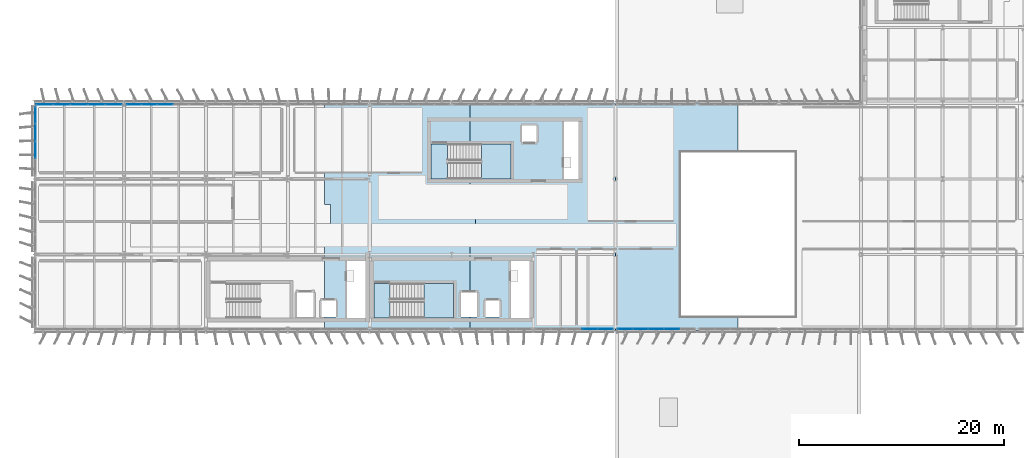
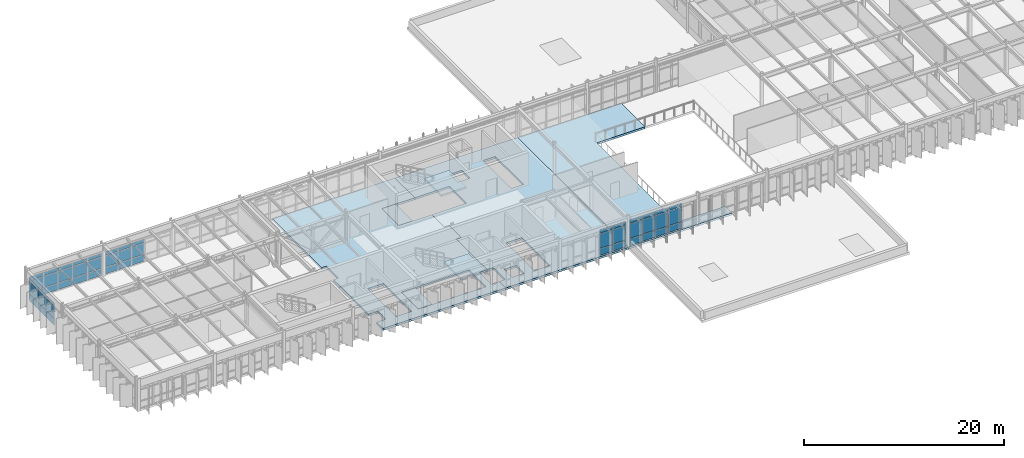
# One storey, part 29 of 56: 51 plates, 7 slabs, 7 elements without a shape of their own.
"""IFC4 building model written with IfcOpenShell, lengths in metres."""

from ifc_helpers import new_model, si_unit, direction, frame, origin, origin_2d, place, context, subcontext, project, spatial, polyline, rectangle, outline, extrude, material, layer, layer_set, type_object, element, aggregate, save


model = new_model("IFC4")

# Units and contexts
model_context = context("Model", 3, precision=1e-05, world=origin(), true_north=direction((0.0, 1.0)))
body_context = subcontext(model_context, "Body", "Model", "MODEL_VIEW")
ifc_project = project(units=[si_unit("LENGTHUNIT", "METRE"), si_unit("AREAUNIT", "SQUARE_METRE"), si_unit("VOLUMEUNIT", "CUBIC_METRE"), si_unit("PLANEANGLEUNIT", "RADIAN"), si_unit("MASSUNIT", "GRAM", prefix="KILO")], contexts=[model_context])

# Site, building, storey
site_placement = place(None, origin())
site = spatial("IfcSite", under=ifc_project, at=site_placement, CompositionType="ELEMENT")
building_placement = place(site_placement, origin())
building = spatial("IfcBuilding", under=site, at=building_placement, Name="Valkorina Park Police Headquarters", CompositionType="ELEMENT")
storey_placement = place(building_placement, frame((0.0, 0.0, 14.10009765625)))
storey = spatial("IfcBuildingStorey", under=building, at=storey_placement, Name="L04", CompositionType="ELEMENT", Elevation=14.10009765625)

# Curtain wall, plates
ifc_material_1 = material(Name="Thermally broken aluminium AW-6060", Category="aluminium")
ifc_layer_1 = layer(ifc_material_1, 0.18994140625)
ifc_layer_set_1 = layer_set([ifc_layer_1], Name="Thermally broken aluminium AW-6060")
curtain_wall_type_1 = type_object("IfcCurtainWallType", Name="CW-V5-8480x2840", PredefinedType="NOTDEFINED", material=ifc_layer_set_1)
curtain_wall_1_placement = place(storey_placement, origin())
curtain_wall_1 = element("IfcCurtainWall", 1, at=curtain_wall_1_placement, inside=storey, type_object=curtain_wall_type_1, Name="L04 Unitised Curtain Wall 030", PredefinedType="NOTDEFINED")
ifc_layer_2 = layer(ifc_material_1, 0.050048828125)
ifc_layer_set_2 = layer_set([ifc_layer_2], Name="Thermally broken aluminium AW-6060")
plate_type_1 = type_object("IfcPlateType", Name="PL-CWP-SPANDREL-50", PredefinedType="CURTAIN_PANEL", material=ifc_layer_set_2)
plate_1_placement = place(storey_placement, frame((1.025390625, 59.080078125, 0.06982421875), z_axis=(0.0, 0.0, 1.0), x_axis=(1.0, 0.0, 0.0)))
plate_1 = element("IfcPlate", 2, at=plate_1_placement, type_object=plate_type_1, Name="CW-V5-848-284 panel 1.1", PredefinedType="CURTAIN_PANEL", context=body_context, shape_type="SweptSolid", body=[
    extrude(rectangle(XDim=1.591064453125, YDim=0.028076171875, at=origin_2d()), origin(), (0.0, 0.0, 1.0), 0.794921875),
])
plate_2_placement = place(storey_placement, frame((2.7041015625, 59.080078125, 0.06982421875), z_axis=(0.0, 0.0, 1.0), x_axis=(1.0, 0.0, 0.0)))
plate_2 = element("IfcPlate", 3, at=plate_2_placement, type_object=plate_type_1, Name="CW-V5-848-284 panel 2.1", PredefinedType="CURTAIN_PANEL", context=body_context, shape_type="SweptSolid", body=[
    extrude(rectangle(XDim=1.6259765625, YDim=0.028076171875, at=origin_2d()), origin(), (0.0, 0.0, 1.0), 0.794921875),
])
plate_3_placement = place(storey_placement, frame((4.39990234375, 59.080078125, 0.06982421875), z_axis=(0.0, 0.0, 1.0), x_axis=(1.0, 0.0, 0.0)))
plate_3 = element("IfcPlate", 4, at=plate_3_placement, type_object=plate_type_1, Name="CW-V5-848-284 panel 3.1", PredefinedType="CURTAIN_PANEL", context=body_context, shape_type="SweptSolid", body=[
    extrude(rectangle(XDim=1.6259765625, YDim=0.028076171875, at=origin_2d()), origin(), (0.0, 0.0, 1.0), 0.794921875),
])
plate_4_placement = place(storey_placement, frame((6.095947265625, 59.080078125, 0.06982421875), z_axis=(0.0, 0.0, 1.0), x_axis=(1.0, 0.0, 0.0)))
plate_4 = element("IfcPlate", 5, at=plate_4_placement, type_object=plate_type_1, Name="CW-V5-848-284 panel 4.1", PredefinedType="CURTAIN_PANEL", context=body_context, shape_type="SweptSolid", body=[
    extrude(rectangle(XDim=1.6259765625, YDim=0.028076171875, at=origin_2d()), origin(), (0.0, 0.0, 1.0), 0.794921875),
])
plate_5_placement = place(storey_placement, frame((7.7744140625, 59.080078125, 0.06982421875), z_axis=(0.0, 0.0, 1.0), x_axis=(1.0, 0.0, 0.0)))
plate_5 = element("IfcPlate", 6, at=plate_5_placement, type_object=plate_type_1, Name="CW-V5-848-284 panel 5.1", PredefinedType="CURTAIN_PANEL", context=body_context, shape_type="SweptSolid", body=[
    extrude(rectangle(XDim=1.591064453125, YDim=0.028076171875, at=origin_2d()), origin(), (0.0, 0.0, 1.0), 0.794921875),
])

ifc_layer_3 = layer(ifc_material_1, 0.18994140625)
ifc_layer_set_3 = layer_set([ifc_layer_3], Name="Thermally broken aluminium AW-6060")
curtain_wall_type_2 = type_object("IfcCurtainWallType", Name="CW-V5-7680x2840", PredefinedType="NOTDEFINED", material=ifc_layer_set_3)
curtain_wall_2_placement = place(storey_placement, origin())
curtain_wall_2 = element("IfcCurtainWall", 7, at=curtain_wall_2_placement, inside=storey, type_object=curtain_wall_type_2, Name="L04 Unitised Curtain Wall 031", PredefinedType="NOTDEFINED")
plate_6_placement = place(storey_placement, frame((9.74560546875, 59.080078125, 0.06982421875), z_axis=(0.0, 0.0, 1.0), x_axis=(1.0, 0.0, 0.0)))
plate_6 = element("IfcPlate", 8, at=plate_6_placement, type_object=plate_type_1, Name="CW-V5-768-284 panel 1.1", PredefinedType="CURTAIN_PANEL", context=body_context, shape_type="SweptSolid", body=[
    extrude(rectangle(XDim=1.430908203125, YDim=0.028076171875, at=origin_2d()), origin(), (0.0, 0.0, 1.0), 0.794921875),
])
plate_7_placement = place(storey_placement, frame((11.263916015625, 59.080078125, 0.06982421875), z_axis=(0.0, 0.0, 1.0), x_axis=(1.0, 0.0, 0.0)))
plate_7 = element("IfcPlate", 9, at=plate_7_placement, type_object=plate_type_1, Name="CW-V5-768-284 panel 2.1", PredefinedType="CURTAIN_PANEL", context=body_context, shape_type="SweptSolid", body=[
    extrude(rectangle(XDim=1.466064453125, YDim=0.028076171875, at=origin_2d()), origin(), (0.0, 0.0, 1.0), 0.794921875),
])
plate_8_placement = place(storey_placement, frame((12.800048828125, 59.080078125, 0.06982421875), z_axis=(0.0, 0.0, 1.0), x_axis=(1.0, 0.0, 0.0)))
plate_8 = element("IfcPlate", 10, at=plate_8_placement, type_object=plate_type_1, Name="CW-V5-768-284 panel 3.1", PredefinedType="CURTAIN_PANEL", context=body_context, shape_type="SweptSolid", body=[
    extrude(rectangle(XDim=1.466064453125, YDim=0.028076171875, at=origin_2d()), origin(), (0.0, 0.0, 1.0), 0.794921875),
])

ifc_layer_4 = layer(ifc_material_1, 0.18994140625)
ifc_layer_set_4 = layer_set([ifc_layer_4], Name="Thermally broken aluminium AW-6060")
curtain_wall_type_3 = type_object("IfcCurtainWallType", Name="CW-V5-7620x3260", PredefinedType="NOTDEFINED", material=ifc_layer_set_4)
curtain_wall_3_placement = place(storey_placement, origin())
curtain_wall_3 = element("IfcCurtainWall", 11, at=curtain_wall_3_placement, inside=storey, type_object=curtain_wall_type_3, Name="L04 Unitised Curtain Wall 050", PredefinedType="NOTDEFINED")
plate_9_placement = place(storey_placement, frame((62.324951171875, 37.1201171875, 0.06982421875), z_axis=(0.0, 0.0, 1.0), x_axis=(-1.0, 0.0, 0.0)))
plate_9 = element("IfcPlate", 12, at=plate_9_placement, type_object=plate_type_1, Name="CW-V5-762-326 panel 2.1", PredefinedType="CURTAIN_PANEL", context=body_context, shape_type="SweptSolid", body=[
    extrude(rectangle(XDim=1.454833984375, YDim=0.028076171875, at=origin_2d()), origin(), (0.0, 0.0, 1.0), 0.794921875),
])
plate_10_placement = place(storey_placement, frame((60.800048828125, 37.1201171875, 0.06982421875), z_axis=(0.0, 0.0, 1.0), x_axis=(-1.0, 0.0, 0.0)))
plate_10 = element("IfcPlate", 13, at=plate_10_placement, type_object=plate_type_1, Name="CW-V5-762-326 panel 3.1", PredefinedType="CURTAIN_PANEL", context=body_context, shape_type="SweptSolid", body=[
    extrude(rectangle(XDim=1.454833984375, YDim=0.028076171875, at=origin_2d()), origin(), (0.0, 0.0, 1.0), 0.794921875),
])
plate_11_placement = place(storey_placement, frame((59.275146484375, 37.1201171875, 0.06982421875), z_axis=(0.0, 0.0, 1.0), x_axis=(-1.0, 0.0, 0.0)))
plate_11 = element("IfcPlate", 14, at=plate_11_placement, type_object=plate_type_1, Name="CW-V5-762-326 panel 4.1", PredefinedType="CURTAIN_PANEL", context=body_context, shape_type="SweptSolid", body=[
    extrude(rectangle(XDim=1.454833984375, YDim=0.028076171875, at=origin_2d()), origin(), (0.0, 0.0, 1.0), 0.794921875),
])
plate_12_placement = place(storey_placement, frame((57.767822265625, 37.1201171875, 0.06982421875), z_axis=(0.0, 0.0, 1.0), x_axis=(-1.0, 0.0, 0.0)))
plate_12 = element("IfcPlate", 15, at=plate_12_placement, type_object=plate_type_1, Name="CW-V5-762-326 panel 5.1", PredefinedType="CURTAIN_PANEL", context=body_context, shape_type="SweptSolid", body=[
    extrude(rectangle(XDim=1.419921875, YDim=0.028076171875, at=origin_2d()), origin(), (0.0, 0.0, 1.0), 0.794921875),
])

ifc_layer_5 = layer(ifc_material_1, 0.18994140625)
ifc_layer_set_5 = layer_set([ifc_layer_5], Name="Thermally broken aluminium AW-6060")
curtain_wall_type_4 = type_object("IfcCurtainWallType", Name="CW-V5-7650x3260", PredefinedType="NOTDEFINED", material=ifc_layer_set_5)
curtain_wall_4_placement = place(storey_placement, origin())
curtain_wall_4 = element("IfcCurtainWall", 16, at=curtain_wall_4_placement, inside=storey, type_object=curtain_wall_type_4, Name="L04 Unitised Curtain Wall 051", PredefinedType="NOTDEFINED")
plate_13_placement = place(storey_placement, frame((55.82958984375, 37.1201171875, 0.06982421875), z_axis=(0.0, 0.0, 1.0), x_axis=(-1.0, 0.0, 0.0)))
plate_13 = element("IfcPlate", 17, at=plate_13_placement, type_object=plate_type_1, Name="CW-V5-765-326 panel 1.1", PredefinedType="CURTAIN_PANEL", context=body_context, shape_type="SweptSolid", body=[
    extrude(rectangle(XDim=1.425537109375, YDim=0.028076171875, at=origin_2d()), origin(), (0.0, 0.0, 1.0), 0.794921875),
])
plate_14_placement = place(storey_placement, frame((54.316650390625, 37.1201171875, 0.06982421875), z_axis=(0.0, 0.0, 1.0), x_axis=(-1.0, 0.0, 0.0)))
plate_14 = element("IfcPlate", 18, at=plate_14_placement, type_object=plate_type_1, Name="CW-V5-765-326 panel 2.1", PredefinedType="CURTAIN_PANEL", context=body_context, shape_type="SweptSolid", body=[
    extrude(rectangle(XDim=1.46044921875, YDim=0.028076171875, at=origin_2d()), origin(), (0.0, 0.0, 1.0), 0.794921875),
])

ifc_layer_6 = layer(ifc_material_1, 0.18994140625)
ifc_layer_set_6 = layer_set([ifc_layer_6], Name="Thermally broken aluminium AW-6060")
curtain_wall_type_5 = type_object("IfcCurtainWallType", Name="CW-V5-6780x2840", PredefinedType="NOTDEFINED", material=ifc_layer_set_6)
curtain_wall_5_placement = place(storey_placement, origin())
curtain_wall_5 = element("IfcCurtainWall", 19, at=curtain_wall_5_placement, inside=storey, type_object=curtain_wall_type_5, Name="L04 Unitised Curtain Wall 060", PredefinedType="NOTDEFINED")
plate_15_placement = place(storey_placement, frame((0.1201171875, 54.652587890625, 0.06982421875), z_axis=(0.0, 0.0, 1.0), x_axis=(0.0, 1.0, 0.0)))
plate_15 = element("IfcPlate", 20, at=plate_15_placement, type_object=plate_type_1, Name="CW-V5-678-284 panel 2.1", PredefinedType="CURTAIN_PANEL", context=body_context, shape_type="SweptSolid", body=[
    extrude(rectangle(XDim=1.625, YDim=0.028076171875, at=origin_2d()), origin(), (0.0, 0.0, 1.0), 0.794921875),
])
plate_16_placement = place(storey_placement, frame((0.1201171875, 56.347412109375, 0.06982421875), z_axis=(0.0, 0.0, 1.0), x_axis=(0.0, 1.0, 0.0)))
plate_16 = element("IfcPlate", 21, at=plate_16_placement, type_object=plate_type_1, Name="CW-V5-678-284 panel 3.1", PredefinedType="CURTAIN_PANEL", context=body_context, shape_type="SweptSolid", body=[
    extrude(rectangle(XDim=1.625, YDim=0.028076171875, at=origin_2d()), origin(), (0.0, 0.0, 1.0), 0.794921875),
])
plate_17_placement = place(storey_placement, frame((0.1201171875, 58.02490234375, 0.06982421875), z_axis=(0.0, 0.0, 1.0), x_axis=(0.0, 1.0, 0.0)))
plate_17 = element("IfcPlate", 22, at=plate_17_placement, type_object=plate_type_1, Name="CW-V5-678-284 panel 4.1", PredefinedType="CURTAIN_PANEL", context=body_context, shape_type="SweptSolid", body=[
    extrude(rectangle(XDim=1.590087890625, YDim=0.028076171875, at=origin_2d()), origin(), (0.0, 0.0, 1.0), 0.794921875),
])

# Plate
ifc_material_2 = material(Name="Triple low-E insulated glazing", Category="glass")
ifc_layer_7 = layer(ifc_material_2, 0.028076171875)
ifc_layer_set_7 = layer_set([ifc_layer_7], Name="Triple low-E insulated glazing")
plate_type_2 = type_object("IfcPlateType", Name="PL-CWP-VISION-28", PredefinedType="CURTAIN_PANEL", material=ifc_layer_set_7)
plate_18_placement = place(storey_placement, frame((1.025390625, 59.080078125, 0.934814453125), z_axis=(0.0, 0.0, 1.0), x_axis=(1.0, 0.0, 0.0)))
plate_18 = element("IfcPlate", 23, at=plate_18_placement, type_object=plate_type_2, Name="CW-V5-848-284 panel 1.2", PredefinedType="CURTAIN_PANEL", context=body_context, shape_type="SweptSolid", body=[
    extrude(rectangle(XDim=1.591064453125, YDim=0.028076171875, at=origin_2d()), origin(), (0.0, 0.0, 1.0), 1.35498046875),
])

plate_19_placement = place(storey_placement, frame((1.025390625, 59.080078125, 2.35986328125), z_axis=(0.0, 0.0, 1.0), x_axis=(1.0, 0.0, 0.0)))
plate_19 = element("IfcPlate", 24, at=plate_19_placement, type_object=plate_type_2, Name="CW-V5-848-284 panel 1.3", PredefinedType="CURTAIN_PANEL", context=body_context, shape_type="SweptSolid", body=[
    extrude(rectangle(XDim=1.591064453125, YDim=0.028076171875, at=origin_2d()), origin(), (0.0, 0.0, 1.0), 0.4150390625),
])

plate_20_placement = place(storey_placement, frame((2.7041015625, 59.080078125, 0.934814453125), z_axis=(0.0, 0.0, 1.0), x_axis=(1.0, 0.0, 0.0)))
plate_20 = element("IfcPlate", 25, at=plate_20_placement, type_object=plate_type_2, Name="CW-V5-848-284 panel 2.2", PredefinedType="CURTAIN_PANEL", context=body_context, shape_type="SweptSolid", body=[
    extrude(rectangle(XDim=1.6259765625, YDim=0.028076171875, at=origin_2d()), origin(), (0.0, 0.0, 1.0), 1.35498046875),
])

plate_21_placement = place(storey_placement, frame((2.7041015625, 59.080078125, 2.35986328125), z_axis=(0.0, 0.0, 1.0), x_axis=(1.0, 0.0, 0.0)))
plate_21 = element("IfcPlate", 26, at=plate_21_placement, type_object=plate_type_2, Name="CW-V5-848-284 panel 2.3", PredefinedType="CURTAIN_PANEL", context=body_context, shape_type="SweptSolid", body=[
    extrude(rectangle(XDim=1.6259765625, YDim=0.028076171875, at=origin_2d()), origin(), (0.0, 0.0, 1.0), 0.4150390625),
])

plate_22_placement = place(storey_placement, frame((4.39990234375, 59.080078125, 0.934814453125), z_axis=(0.0, 0.0, 1.0), x_axis=(1.0, 0.0, 0.0)))
plate_22 = element("IfcPlate", 27, at=plate_22_placement, type_object=plate_type_2, Name="CW-V5-848-284 panel 3.2", PredefinedType="CURTAIN_PANEL", context=body_context, shape_type="SweptSolid", body=[
    extrude(rectangle(XDim=1.6259765625, YDim=0.028076171875, at=origin_2d()), origin(), (0.0, 0.0, 1.0), 1.35498046875),
])

plate_23_placement = place(storey_placement, frame((4.39990234375, 59.080078125, 2.35986328125), z_axis=(0.0, 0.0, 1.0), x_axis=(1.0, 0.0, 0.0)))
plate_23 = element("IfcPlate", 28, at=plate_23_placement, type_object=plate_type_2, Name="CW-V5-848-284 panel 3.3", PredefinedType="CURTAIN_PANEL", context=body_context, shape_type="SweptSolid", body=[
    extrude(rectangle(XDim=1.6259765625, YDim=0.028076171875, at=origin_2d()), origin(), (0.0, 0.0, 1.0), 0.4150390625),
])

plate_24_placement = place(storey_placement, frame((6.095947265625, 59.080078125, 0.934814453125), z_axis=(0.0, 0.0, 1.0), x_axis=(1.0, 0.0, 0.0)))
plate_24 = element("IfcPlate", 29, at=plate_24_placement, type_object=plate_type_2, Name="CW-V5-848-284 panel 4.2", PredefinedType="CURTAIN_PANEL", context=body_context, shape_type="SweptSolid", body=[
    extrude(rectangle(XDim=1.6259765625, YDim=0.028076171875, at=origin_2d()), origin(), (0.0, 0.0, 1.0), 1.35498046875),
])

plate_25_placement = place(storey_placement, frame((6.095947265625, 59.080078125, 2.35986328125), z_axis=(0.0, 0.0, 1.0), x_axis=(1.0, 0.0, 0.0)))
plate_25 = element("IfcPlate", 30, at=plate_25_placement, type_object=plate_type_2, Name="CW-V5-848-284 panel 4.3", PredefinedType="CURTAIN_PANEL", context=body_context, shape_type="SweptSolid", body=[
    extrude(rectangle(XDim=1.6259765625, YDim=0.028076171875, at=origin_2d()), origin(), (0.0, 0.0, 1.0), 0.4150390625),
])

plate_26_placement = place(storey_placement, frame((7.7744140625, 59.080078125, 0.934814453125), z_axis=(0.0, 0.0, 1.0), x_axis=(1.0, 0.0, 0.0)))
plate_26 = element("IfcPlate", 31, at=plate_26_placement, type_object=plate_type_2, Name="CW-V5-848-284 panel 5.2", PredefinedType="CURTAIN_PANEL", context=body_context, shape_type="SweptSolid", body=[
    extrude(rectangle(XDim=1.591064453125, YDim=0.028076171875, at=origin_2d()), origin(), (0.0, 0.0, 1.0), 1.35498046875),
])

plate_27_placement = place(storey_placement, frame((7.7744140625, 59.080078125, 2.35986328125), z_axis=(0.0, 0.0, 1.0), x_axis=(1.0, 0.0, 0.0)))
plate_27 = element("IfcPlate", 32, at=plate_27_placement, type_object=plate_type_2, Name="CW-V5-848-284 panel 5.3", PredefinedType="CURTAIN_PANEL", context=body_context, shape_type="SweptSolid", body=[
    extrude(rectangle(XDim=1.591064453125, YDim=0.028076171875, at=origin_2d()), origin(), (0.0, 0.0, 1.0), 0.4150390625),
])

aggregate(curtain_wall_1, [plate_1, plate_18, plate_19, plate_2, plate_20, plate_21, plate_3, plate_22, plate_23, plate_4, plate_24, plate_25, plate_5, plate_26, plate_27])

plate_28_placement = place(storey_placement, frame((9.74560546875, 59.080078125, 0.934814453125), z_axis=(0.0, 0.0, 1.0), x_axis=(1.0, 0.0, 0.0)))
plate_28 = element("IfcPlate", 33, at=plate_28_placement, type_object=plate_type_2, Name="CW-V5-768-284 panel 1.2", PredefinedType="CURTAIN_PANEL", context=body_context, shape_type="SweptSolid", body=[
    extrude(rectangle(XDim=1.430908203125, YDim=0.028076171875, at=origin_2d()), origin(), (0.0, 0.0, 1.0), 1.35498046875),
])

plate_29_placement = place(storey_placement, frame((9.74560546875, 59.080078125, 2.35986328125), z_axis=(0.0, 0.0, 1.0), x_axis=(1.0, 0.0, 0.0)))
plate_29 = element("IfcPlate", 34, at=plate_29_placement, type_object=plate_type_2, Name="CW-V5-768-284 panel 1.3", PredefinedType="CURTAIN_PANEL", context=body_context, shape_type="SweptSolid", body=[
    extrude(rectangle(XDim=1.430908203125, YDim=0.028076171875, at=origin_2d()), origin(), (0.0, 0.0, 1.0), 0.4150390625),
])

plate_30_placement = place(storey_placement, frame((11.263916015625, 59.080078125, 0.934814453125), z_axis=(0.0, 0.0, 1.0), x_axis=(1.0, 0.0, 0.0)))
plate_30 = element("IfcPlate", 35, at=plate_30_placement, type_object=plate_type_2, Name="CW-V5-768-284 panel 2.2", PredefinedType="CURTAIN_PANEL", context=body_context, shape_type="SweptSolid", body=[
    extrude(rectangle(XDim=1.466064453125, YDim=0.028076171875, at=origin_2d()), origin(), (0.0, 0.0, 1.0), 1.35498046875),
])

plate_31_placement = place(storey_placement, frame((11.263916015625, 59.080078125, 2.35986328125), z_axis=(0.0, 0.0, 1.0), x_axis=(1.0, 0.0, 0.0)))
plate_31 = element("IfcPlate", 36, at=plate_31_placement, type_object=plate_type_2, Name="CW-V5-768-284 panel 2.3", PredefinedType="CURTAIN_PANEL", context=body_context, shape_type="SweptSolid", body=[
    extrude(rectangle(XDim=1.466064453125, YDim=0.028076171875, at=origin_2d()), origin(), (0.0, 0.0, 1.0), 0.4150390625),
])

plate_32_placement = place(storey_placement, frame((12.800048828125, 59.080078125, 0.934814453125), z_axis=(0.0, 0.0, 1.0), x_axis=(1.0, 0.0, 0.0)))
plate_32 = element("IfcPlate", 37, at=plate_32_placement, type_object=plate_type_2, Name="CW-V5-768-284 panel 3.2", PredefinedType="CURTAIN_PANEL", context=body_context, shape_type="SweptSolid", body=[
    extrude(rectangle(XDim=1.466064453125, YDim=0.028076171875, at=origin_2d()), origin(), (0.0, 0.0, 1.0), 1.35498046875),
])

plate_33_placement = place(storey_placement, frame((12.800048828125, 59.080078125, 2.35986328125), z_axis=(0.0, 0.0, 1.0), x_axis=(1.0, 0.0, 0.0)))
plate_33 = element("IfcPlate", 38, at=plate_33_placement, type_object=plate_type_2, Name="CW-V5-768-284 panel 3.3", PredefinedType="CURTAIN_PANEL", context=body_context, shape_type="SweptSolid", body=[
    extrude(rectangle(XDim=1.466064453125, YDim=0.028076171875, at=origin_2d()), origin(), (0.0, 0.0, 1.0), 0.4150390625),
])

aggregate(curtain_wall_2, [plate_6, plate_28, plate_29, plate_7, plate_30, plate_31, plate_8, plate_32, plate_33])

plate_34_placement = place(storey_placement, frame((62.324951171875, 37.1201171875, 0.93505859375), z_axis=(0.0, 0.0, 1.0), x_axis=(-1.0, 0.0, 0.0)))
plate_34 = element("IfcPlate", 39, at=plate_34_placement, type_object=plate_type_2, Name="CW-V5-762-326 panel 2.2", PredefinedType="CURTAIN_PANEL", context=body_context, shape_type="SweptSolid", body=[
    extrude(rectangle(XDim=1.454833984375, YDim=0.028076171875, at=origin_2d()), origin(), (0.0, 0.0, 1.0), 1.764892578125),
])

plate_35_placement = place(storey_placement, frame((62.324951171875, 37.1201171875, 2.769775390625), z_axis=(0.0, 0.0, 1.0), x_axis=(-1.0, 0.0, 0.0)))
plate_35 = element("IfcPlate", 40, at=plate_35_placement, type_object=plate_type_2, Name="CW-V5-762-326 panel 2.3", PredefinedType="CURTAIN_PANEL", context=body_context, shape_type="SweptSolid", body=[
    extrude(rectangle(XDim=1.454833984375, YDim=0.028076171875, at=origin_2d()), origin(), (0.0, 0.0, 1.0), 0.4150390625),
])

plate_36_placement = place(storey_placement, frame((60.800048828125, 37.1201171875, 0.93505859375), z_axis=(0.0, 0.0, 1.0), x_axis=(-1.0, 0.0, 0.0)))
plate_36 = element("IfcPlate", 41, at=plate_36_placement, type_object=plate_type_2, Name="CW-V5-762-326 panel 3.2", PredefinedType="CURTAIN_PANEL", context=body_context, shape_type="SweptSolid", body=[
    extrude(rectangle(XDim=1.454833984375, YDim=0.028076171875, at=origin_2d()), origin(), (0.0, 0.0, 1.0), 1.764892578125),
])

plate_37_placement = place(storey_placement, frame((60.800048828125, 37.1201171875, 2.769775390625), z_axis=(0.0, 0.0, 1.0), x_axis=(-1.0, 0.0, 0.0)))
plate_37 = element("IfcPlate", 42, at=plate_37_placement, type_object=plate_type_2, Name="CW-V5-762-326 panel 3.3", PredefinedType="CURTAIN_PANEL", context=body_context, shape_type="SweptSolid", body=[
    extrude(rectangle(XDim=1.454833984375, YDim=0.028076171875, at=origin_2d()), origin(), (0.0, 0.0, 1.0), 0.4150390625),
])

plate_38_placement = place(storey_placement, frame((59.275146484375, 37.1201171875, 0.93505859375), z_axis=(0.0, 0.0, 1.0), x_axis=(-1.0, 0.0, 0.0)))
plate_38 = element("IfcPlate", 43, at=plate_38_placement, type_object=plate_type_2, Name="CW-V5-762-326 panel 4.2", PredefinedType="CURTAIN_PANEL", context=body_context, shape_type="SweptSolid", body=[
    extrude(rectangle(XDim=1.454833984375, YDim=0.028076171875, at=origin_2d()), origin(), (0.0, 0.0, 1.0), 1.764892578125),
])

plate_39_placement = place(storey_placement, frame((59.275146484375, 37.1201171875, 2.769775390625), z_axis=(0.0, 0.0, 1.0), x_axis=(-1.0, 0.0, 0.0)))
plate_39 = element("IfcPlate", 44, at=plate_39_placement, type_object=plate_type_2, Name="CW-V5-762-326 panel 4.3", PredefinedType="CURTAIN_PANEL", context=body_context, shape_type="SweptSolid", body=[
    extrude(rectangle(XDim=1.454833984375, YDim=0.028076171875, at=origin_2d()), origin(), (0.0, 0.0, 1.0), 0.4150390625),
])

plate_40_placement = place(storey_placement, frame((57.767822265625, 37.1201171875, 0.93505859375), z_axis=(0.0, 0.0, 1.0), x_axis=(-1.0, 0.0, 0.0)))
plate_40 = element("IfcPlate", 45, at=plate_40_placement, type_object=plate_type_2, Name="CW-V5-762-326 panel 5.2", PredefinedType="CURTAIN_PANEL", context=body_context, shape_type="SweptSolid", body=[
    extrude(rectangle(XDim=1.419921875, YDim=0.028076171875, at=origin_2d()), origin(), (0.0, 0.0, 1.0), 1.764892578125),
])

plate_41_placement = place(storey_placement, frame((57.767822265625, 37.1201171875, 2.769775390625), z_axis=(0.0, 0.0, 1.0), x_axis=(-1.0, 0.0, 0.0)))
plate_41 = element("IfcPlate", 46, at=plate_41_placement, type_object=plate_type_2, Name="CW-V5-762-326 panel 5.3", PredefinedType="CURTAIN_PANEL", context=body_context, shape_type="SweptSolid", body=[
    extrude(rectangle(XDim=1.419921875, YDim=0.028076171875, at=origin_2d()), origin(), (0.0, 0.0, 1.0), 0.4150390625),
])

aggregate(curtain_wall_3, [plate_9, plate_34, plate_35, plate_10, plate_36, plate_37, plate_11, plate_38, plate_39, plate_12, plate_40, plate_41])

plate_42_placement = place(storey_placement, frame((55.82958984375, 37.1201171875, 0.93505859375), z_axis=(0.0, 0.0, 1.0), x_axis=(-1.0, 0.0, 0.0)))
plate_42 = element("IfcPlate", 47, at=plate_42_placement, type_object=plate_type_2, Name="CW-V5-765-326 panel 1.2", PredefinedType="CURTAIN_PANEL", context=body_context, shape_type="SweptSolid", body=[
    extrude(rectangle(XDim=1.425537109375, YDim=0.028076171875, at=origin_2d()), origin(), (0.0, 0.0, 1.0), 1.764892578125),
])

plate_43_placement = place(storey_placement, frame((55.82958984375, 37.1201171875, 2.769775390625), z_axis=(0.0, 0.0, 1.0), x_axis=(-1.0, 0.0, 0.0)))
plate_43 = element("IfcPlate", 48, at=plate_43_placement, type_object=plate_type_2, Name="CW-V5-765-326 panel 1.3", PredefinedType="CURTAIN_PANEL", context=body_context, shape_type="SweptSolid", body=[
    extrude(rectangle(XDim=1.425537109375, YDim=0.028076171875, at=origin_2d()), origin(), (0.0, 0.0, 1.0), 0.4150390625),
])

plate_44_placement = place(storey_placement, frame((54.316650390625, 37.1201171875, 0.93505859375), z_axis=(0.0, 0.0, 1.0), x_axis=(-1.0, 0.0, 0.0)))
plate_44 = element("IfcPlate", 49, at=plate_44_placement, type_object=plate_type_2, Name="CW-V5-765-326 panel 2.2", PredefinedType="CURTAIN_PANEL", context=body_context, shape_type="SweptSolid", body=[
    extrude(rectangle(XDim=1.46044921875, YDim=0.028076171875, at=origin_2d()), origin(), (0.0, 0.0, 1.0), 1.764892578125),
])

plate_45_placement = place(storey_placement, frame((54.316650390625, 37.1201171875, 2.769775390625), z_axis=(0.0, 0.0, 1.0), x_axis=(-1.0, 0.0, 0.0)))
plate_45 = element("IfcPlate", 50, at=plate_45_placement, type_object=plate_type_2, Name="CW-V5-765-326 panel 2.3", PredefinedType="CURTAIN_PANEL", context=body_context, shape_type="SweptSolid", body=[
    extrude(rectangle(XDim=1.46044921875, YDim=0.028076171875, at=origin_2d()), origin(), (0.0, 0.0, 1.0), 0.4150390625),
])

aggregate(curtain_wall_4, [plate_13, plate_42, plate_43, plate_14, plate_44, plate_45])

plate_46_placement = place(storey_placement, frame((0.1201171875, 54.652587890625, 0.934814453125), z_axis=(0.0, 0.0, 1.0), x_axis=(0.0, 1.0, 0.0)))
plate_46 = element("IfcPlate", 51, at=plate_46_placement, type_object=plate_type_2, Name="CW-V5-678-284 panel 2.2", PredefinedType="CURTAIN_PANEL", context=body_context, shape_type="SweptSolid", body=[
    extrude(rectangle(XDim=1.625, YDim=0.028076171875, at=origin_2d()), origin(), (0.0, 0.0, 1.0), 1.35498046875),
])

plate_47_placement = place(storey_placement, frame((0.1201171875, 54.652587890625, 2.35986328125), z_axis=(0.0, 0.0, 1.0), x_axis=(0.0, 1.0, 0.0)))
plate_47 = element("IfcPlate", 52, at=plate_47_placement, type_object=plate_type_2, Name="CW-V5-678-284 panel 2.3", PredefinedType="CURTAIN_PANEL", context=body_context, shape_type="SweptSolid", body=[
    extrude(rectangle(XDim=1.625, YDim=0.028076171875, at=origin_2d()), origin(), (0.0, 0.0, 1.0), 0.4150390625),
])

plate_48_placement = place(storey_placement, frame((0.1201171875, 56.347412109375, 0.934814453125), z_axis=(0.0, 0.0, 1.0), x_axis=(0.0, 1.0, 0.0)))
plate_48 = element("IfcPlate", 53, at=plate_48_placement, type_object=plate_type_2, Name="CW-V5-678-284 panel 3.2", PredefinedType="CURTAIN_PANEL", context=body_context, shape_type="SweptSolid", body=[
    extrude(rectangle(XDim=1.625, YDim=0.028076171875, at=origin_2d()), origin(), (0.0, 0.0, 1.0), 1.35498046875),
])

plate_49_placement = place(storey_placement, frame((0.1201171875, 56.347412109375, 2.35986328125), z_axis=(0.0, 0.0, 1.0), x_axis=(0.0, 1.0, 0.0)))
plate_49 = element("IfcPlate", 54, at=plate_49_placement, type_object=plate_type_2, Name="CW-V5-678-284 panel 3.3", PredefinedType="CURTAIN_PANEL", context=body_context, shape_type="SweptSolid", body=[
    extrude(rectangle(XDim=1.625, YDim=0.028076171875, at=origin_2d()), origin(), (0.0, 0.0, 1.0), 0.4150390625),
])

plate_50_placement = place(storey_placement, frame((0.1201171875, 58.02490234375, 0.934814453125), z_axis=(0.0, 0.0, 1.0), x_axis=(0.0, 1.0, 0.0)))
plate_50 = element("IfcPlate", 55, at=plate_50_placement, type_object=plate_type_2, Name="CW-V5-678-284 panel 4.2", PredefinedType="CURTAIN_PANEL", context=body_context, shape_type="SweptSolid", body=[
    extrude(rectangle(XDim=1.590087890625, YDim=0.028076171875, at=origin_2d()), origin(), (0.0, 0.0, 1.0), 1.35498046875),
])

plate_51_placement = place(storey_placement, frame((0.1201171875, 58.02490234375, 2.35986328125), z_axis=(0.0, 0.0, 1.0), x_axis=(0.0, 1.0, 0.0)))
plate_51 = element("IfcPlate", 56, at=plate_51_placement, type_object=plate_type_2, Name="CW-V5-678-284 panel 4.3", PredefinedType="CURTAIN_PANEL", context=body_context, shape_type="SweptSolid", body=[
    extrude(rectangle(XDim=1.590087890625, YDim=0.028076171875, at=origin_2d()), origin(), (0.0, 0.0, 1.0), 0.4150390625),
])

aggregate(curtain_wall_5, [plate_15, plate_46, plate_47, plate_16, plate_48, plate_49, plate_17, plate_50, plate_51])

# Slabs
ifc_material_3 = material(Name="Concrete C35/45", Category="concrete")
ifc_layer_8 = layer(ifc_material_3, 0.2451171875)
ifc_layer_set_8 = layer_set([ifc_layer_8], Name="Concrete C35/45")
slab_type_1 = type_object("IfcSlabType", Name="SL-COMP-LAB-170", PredefinedType="FLOOR", material=ifc_layer_set_8)
slab_1_placement = place(storey_placement, frame((0.0, 0.0, -0.2451171875)))
element("IfcSlab", 57, at=slab_1_placement, inside=storey, type_object=slab_type_1, Name="L04 Structural Floor Slab 75", PredefinedType="FLOOR", context=body_context, shape_type="SweptSolid", body=[
    extrude(outline(polyline([(43.14990234375, 49.2958984375), (42.60009765625, 49.2958984375), (42.60009765625, 51.800048828125), (38.800048828125, 51.800048828125), (38.800048828125, 55.199951171875), (42.60009765625, 55.199951171875), (42.60009765625, 59.19189453125), (28.39990234375, 59.19189453125), (28.39990234375, 49.2958984375), (28.949951171875, 49.2958984375), (28.949951171875, 46.89599609375), (28.39990234375, 46.89599609375), (28.39990234375, 39.89990234375), (29.5, 39.89990234375), (29.5, 38.300048828125), (28.39990234375, 38.300048828125), (28.39990234375, 37.0), (42.60009765625, 37.0), (42.60009765625, 38.300048828125), (41.699951171875, 38.300048828125), (41.699951171875, 40.699951171875), (42.60009765625, 40.699951171875), (42.60009765625, 46.89599609375), (43.14990234375, 46.89599609375), (43.14990234375, 49.2958984375)]), holes=[polyline([(33.199951171875, 38.199951171875), (33.199951171875, 41.60009765625), (41.0, 41.60009765625), (41.0, 38.199951171875), (33.199951171875, 38.199951171875)]), polyline([(32.39990234375, 38.199951171875), (30.60009765625, 38.199951171875), (30.60009765625, 43.800048828125), (32.39990234375, 43.800048828125), (32.39990234375, 38.199951171875)])]), origin(), (0.0, 0.0, 1.0), 0.2451171875),
])
slab_2_placement = place(storey_placement, frame((0.0, 0.0, -0.2451171875)))
element("IfcSlab", 58, at=slab_2_placement, inside=storey, type_object=slab_type_1, Name="L04 Structural Floor Slab 76", PredefinedType="FLOOR", context=body_context, shape_type="SweptSolid", body=[
    extrude(outline(polyline([(42.60009765625, 59.19189453125), (42.60009765625, 55.199951171875), (46.60009765625, 55.199951171875), (46.60009765625, 51.800048828125), (42.60009765625, 51.800048828125), (42.60009765625, 49.2958984375), (43.14990234375, 49.2958984375), (43.14990234375, 46.89599609375), (42.60009765625, 46.89599609375), (42.60009765625, 40.699951171875), (43.300048828125, 40.699951171875), (43.300048828125, 38.300048828125), (42.60009765625, 38.300048828125), (42.60009765625, 37.0), (56.800048828125, 37.0), (56.800048828125, 59.19189453125), (42.60009765625, 59.19189453125)]), holes=[polyline([(45.5, 38.300048828125), (44.10009765625, 38.300048828125), (44.10009765625, 39.89990234375), (45.5, 39.89990234375), (45.5, 38.300048828125)]), polyline([(46.60009765625, 38.199951171875), (46.60009765625, 43.800048828125), (48.39990234375, 43.800048828125), (48.39990234375, 38.199951171875), (46.60009765625, 38.199951171875)]), polyline([(53.199951171875, 51.800048828125), (51.800048828125, 51.800048828125), (51.800048828125, 57.39990234375), (53.199951171875, 57.39990234375), (53.199951171875, 51.800048828125)]), polyline([(49.10009765625, 55.39990234375), (47.699951171875, 55.39990234375), (47.699951171875, 57.0), (49.10009765625, 57.0), (49.10009765625, 55.39990234375)])]), origin(), (0.0, 0.0, 1.0), 0.2451171875),
])
slab_3_placement = place(storey_placement, frame((0.0, 0.0, -0.2451171875)))
element("IfcSlab", 59, at=slab_3_placement, inside=storey, type_object=slab_type_1, Name="L04 Structural Floor Slab 77", PredefinedType="FLOOR", context=body_context, shape_type="SweptSolid", body=[
    extrude(outline(polyline([(68.800048828125, 38.39990234375), (63.199951171875, 38.39990234375), (63.199951171875, 54.39990234375), (68.800048828125, 54.39990234375), (68.800048828125, 59.19189453125), (56.800048828125, 59.19189453125), (56.800048828125, 37.0), (68.800048828125, 37.0), (68.800048828125, 38.39990234375)])), origin(), (0.0, 0.0, 1.0), 0.2451171875),
])

# Stair, slab
stair_type = type_object("IfcStairType", Name="ST-DOGLEG-160-40", PredefinedType="HALF_TURN_STAIR", material=ifc_material_3)
stair_1_placement = place(storey_placement, origin())
stair_1 = element("IfcStair", 60, at=stair_1_placement, inside=storey, type_object=stair_type, Name="L04 Core C2 Protected Stair (ST-05)", PredefinedType="HALF_TURN_STAIR")
ifc_layer_9 = layer(ifc_material_3, 0.22998046875)
ifc_layer_set_9 = layer_set([ifc_layer_9], Name="Concrete C35/45")
slab_type_2 = type_object("IfcSlabType", Name="SL-LANDING-230", PredefinedType="LANDING", material=ifc_layer_set_9)
slab_4_placement = place(storey_placement, frame((0.0, 0.0, 1.77001953125)))
slab_4 = element("IfcSlab", 61, at=slab_4_placement, type_object=slab_type_2, Name="ST-05 landing 1", PredefinedType="LANDING", context=body_context, shape_type="SweptSolid", body=[
    extrude(outline(polyline([(38.10009765625, 38.199951171875), (41.0, 38.199951171875), (41.0, 41.60009765625), (38.10009765625, 41.60009765625), (38.10009765625, 38.199951171875)])), origin(), (0.0, 0.0, 1.0), 0.22998046875),
])
aggregate(stair_1, [slab_4])

stair_2_placement = place(storey_placement, origin())
stair_2 = element("IfcStair", 62, at=stair_2_placement, inside=storey, type_object=stair_type, Name="L04 Core C3 Protected Stair (ST-05)", PredefinedType="HALF_TURN_STAIR")
slab_5_placement = place(storey_placement, frame((0.0, 0.0, 1.77001953125)))
slab_5 = element("IfcSlab", 63, at=slab_5_placement, type_object=slab_type_2, Name="ST-05 landing 1", PredefinedType="LANDING", context=body_context, shape_type="SweptSolid", body=[
    extrude(outline(polyline([(43.699951171875, 51.800048828125), (46.60009765625, 51.800048828125), (46.60009765625, 55.199951171875), (43.699951171875, 55.199951171875), (43.699951171875, 51.800048828125)])), origin(), (0.0, 0.0, 1.0), 0.22998046875),
])
aggregate(stair_2, [slab_5])

# Slabs
ifc_material_4 = material(Name="Concrete C40/50", Category="concrete")
ifc_layer_10 = layer(ifc_material_4, 0.300048828125)
ifc_layer_set_10 = layer_set([ifc_layer_10], Name="Concrete C40/50")
slab_type_3 = type_object("IfcSlabType", Name="SL-VAULT-300", PredefinedType="FLOOR", material=ifc_layer_set_10)
slab_6_placement = place(storey_placement, frame((0.0, 0.0, -0.300048828125)))
element("IfcSlab", 64, at=slab_6_placement, inside=storey, type_object=slab_type_3, Name="L04 Core C2 Structural Floor Landing Slab", PredefinedType="FLOOR", context=body_context, shape_type="SweptSolid", body=[
    extrude(outline(polyline([(33.199951171875, 38.199951171875), (34.800048828125, 38.199951171875), (34.800048828125, 41.60009765625), (33.199951171875, 41.60009765625), (33.199951171875, 38.199951171875)])), origin(), (0.0, 0.0, 1.0), 0.300048828125),
])
slab_7_placement = place(storey_placement, frame((0.0, 0.0, -0.300048828125)))
element("IfcSlab", 65, at=slab_7_placement, inside=storey, type_object=slab_type_3, Name="L04 Core C3 Structural Floor Landing Slab", PredefinedType="FLOOR", context=body_context, shape_type="SweptSolid", body=[
    extrude(outline(polyline([(38.800048828125, 51.800048828125), (40.39990234375, 51.800048828125), (40.39990234375, 55.199951171875), (38.800048828125, 55.199951171875), (38.800048828125, 51.800048828125)])), origin(), (0.0, 0.0, 1.0), 0.300048828125),
])

save(model, "model.ifc")
